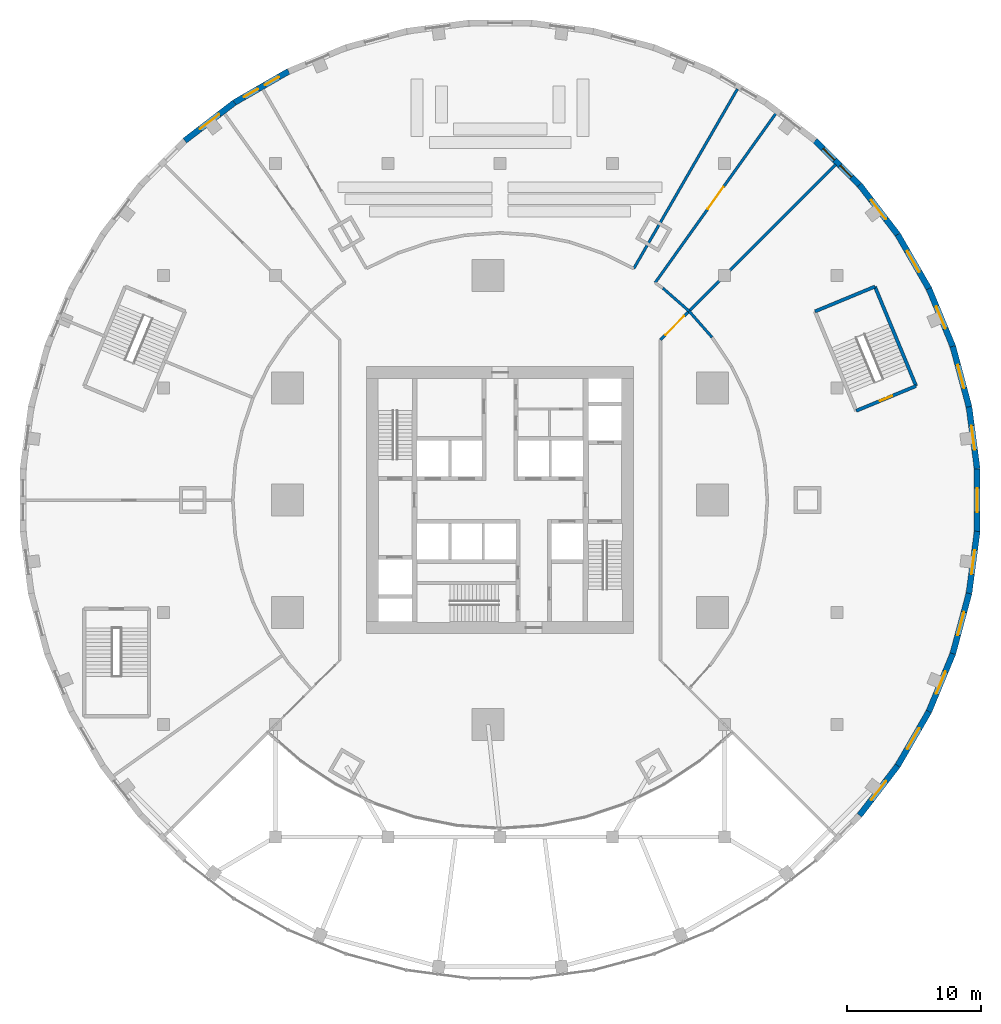
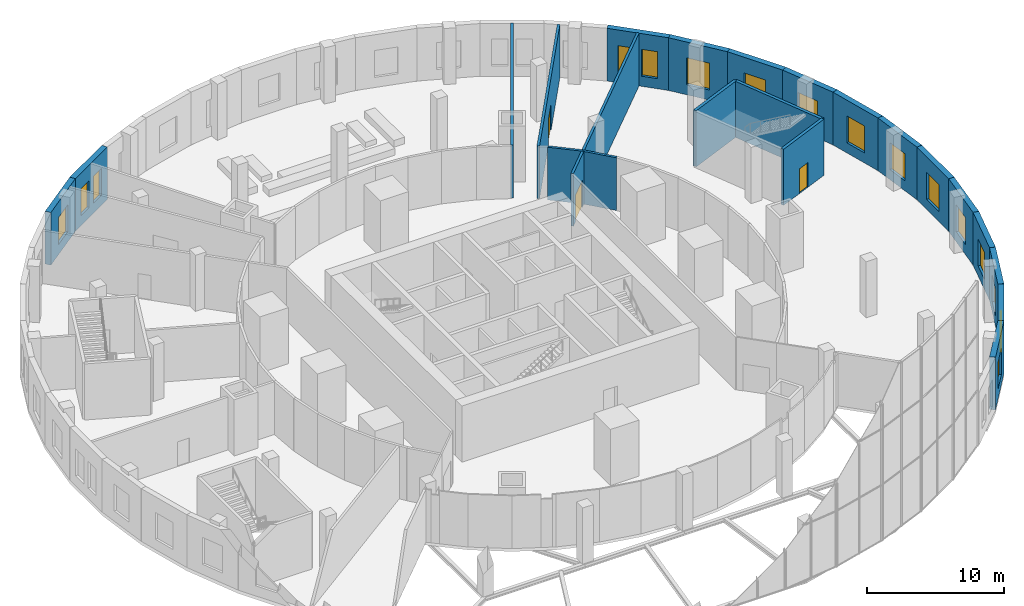
# One storey, part 11 of 17: 23 walls, 16 windows, 3 doors, 19 openings.
"""IFC4 building model written with IfcOpenShell, lengths in metres."""

from ifc_helpers import new_model, si_unit, direction, frame, frame_2d, origin, place, context, subcontext, project, spatial, rectangle, extrude, material, layer, layer_set, type_object, element, fill, save


model = new_model("IFC4")

# Units and contexts
model_context = context("Model", 3, precision=1e-05, world=origin(), true_north=direction((0.0, 1.0)))
body_context = subcontext(model_context, "Body", "Model", "MODEL_VIEW")
ifc_project = project(units=[si_unit("LENGTHUNIT", "METRE"), si_unit("AREAUNIT", "SQUARE_METRE"), si_unit("VOLUMEUNIT", "CUBIC_METRE"), si_unit("PLANEANGLEUNIT", "RADIAN"), si_unit("MASSUNIT", "GRAM", prefix="KILO")], contexts=[model_context])

# Site, building, storey
site_placement = place(None, origin())
site = spatial("IfcSite", under=ifc_project, at=site_placement, CompositionType="ELEMENT")
building_placement = place(site_placement, origin())
building = spatial("IfcBuilding", under=site, at=building_placement, Name="Golbaran Civic Tower", CompositionType="ELEMENT")
storey_placement = place(building_placement, frame((0.0, 0.0, 6.0)))
storey = spatial("IfcBuildingStorey", under=building, at=storey_placement, Name="L01", CompositionType="ELEMENT", Elevation=6.0)

# Wall
ifc_material_1 = material(Name="Concrete block, plastered", Category="concrete")
ifc_layer_1 = layer(ifc_material_1, 0.199951171875, Name="Concrete block, plastered")
ifc_layer_set_1 = layer_set([ifc_layer_1], Name="Concrete block, plastered")
wall_type_1 = type_object("IfcWallType", Name="PODIUM PARTITION 200", PredefinedType="PARTITIONING", material=ifc_layer_set_1)
wall_1_placement = place(storey_placement, frame((10.0, 17.320068359375, 0.0), z_axis=(0.0, 0.0, 1.0), x_axis=(0.500022035744, 0.866012681068, 0.0)))
element("IfcWall", 1, at=wall_1_placement, inside=storey, type_object=wall_type_1, Name="Podium partition L01", PredefinedType="PARTITIONING", context=body_context, shape_type="SweptSolid", body=[
    extrude(rectangle(XDim=15.519287109375, YDim=0.199951171875, at=frame_2d((7.759765625, 0.0))), origin(), (0.0, 0.0, 1.0), 4.699951171875),
])

# Wall, opening, door
wall_2_placement = place(storey_placement, frame((11.60009765625, 16.260009765625, 0.0), z_axis=(0.0, 0.0, 1.0), x_axis=(0.580502370217, 0.814258557322, 0.0)))
wall_2 = element("IfcWall", 2, at=wall_2_placement, inside=storey, type_object=wall_type_1, Name="Podium partition L01", PredefinedType="PARTITIONING", context=body_context, shape_type="SweptSolid", body=[
    extrude(rectangle(XDim=15.572265625, YDim=0.199951171875, at=frame_2d((7.7861328125, 0.0))), origin(), (0.0, 0.0, 1.0), 4.699951171875),
])
opening_1_placement = place(wall_2_placement, frame((6.786376953125, 0.0, 0.0)))
opening_1 = element("IfcOpeningElement", 3, at=opening_1_placement, cuts=wall_2, Name="Opening L01.05", PredefinedType="OPENING", context=body_context, shape_type="SweptSolid", body=[
    extrude(rectangle(XDim=2.0, YDim=2.39990234375, at=frame_2d((1.0, 1.199951171875))), frame((0.0, 0.10986328125, 0.0), z_axis=(0.0, -1.0, 0.0), x_axis=(1.0, 0.0, 0.0)), (0.0, 0.0, 1.0), 0.219970703125),
])
ifc_material_2 = material(Name="Timber door set in steel frame", Category="steel")
door_type_1 = type_object("IfcDoorType", Name="PUBLIC DOUBLE DOOR 2000x2400", OperationType="DOUBLE_DOOR_SINGLE_SWING", PredefinedType="DOOR", material=ifc_material_2)
door_1_placement = place(opening_1_placement, origin())
door_1 = element("IfcDoor", 4, at=door_1_placement, inside=storey, type_object=door_type_1, Name="Members' Office door", OperationType="DOUBLE_DOOR_SINGLE_SWING", OverallHeight=2.39990234375, OverallWidth=2.0, PredefinedType="DOOR", context=body_context, shape_type="SweptSolid", body=[
    extrude(rectangle(XDim=2.0, YDim=2.39990234375, at=frame_2d((1.0, 1.199951171875))), frame((0.0, 0.02490234375, 0.0), z_axis=(0.0, -1.0, 0.0), x_axis=(1.0, 0.0, 0.0)), (0.0, 0.0, 1.0), 0.050048828125),
])
fill(opening_1, door_1)

wall_3_placement = place(storey_placement, frame((12.0, 12.0, 0.0), z_axis=(0.0, 0.0, 1.0), x_axis=(0.707106781187, 0.707106781187, 0.0)))
wall_3 = element("IfcWall", 5, at=wall_3_placement, inside=storey, type_object=wall_type_1, Name="Podium partition L01", PredefinedType="PARTITIONING", context=body_context, shape_type="SweptSolid", body=[
    extrude(rectangle(XDim=3.0263671875, YDim=0.199951171875, at=frame_2d((1.51318359375, 0.0))), origin(), (0.0, 0.0, 1.0), 4.699951171875),
])
opening_2_placement = place(wall_3_placement, frame((0.51318359375, 0.0, 0.0)))
opening_2 = element("IfcOpeningElement", 6, at=opening_2_placement, cuts=wall_3, Name="Opening L01.07", PredefinedType="OPENING", context=body_context, shape_type="SweptSolid", body=[
    extrude(rectangle(XDim=2.0, YDim=2.39990234375, at=frame_2d((1.0, 1.199951171875))), frame((0.0, 0.10986328125, 0.0), z_axis=(0.0, -1.0, 0.0), x_axis=(1.0, 0.0, 0.0)), (0.0, 0.0, 1.0), 0.219970703125),
])
door_2_placement = place(opening_2_placement, origin())
door_2 = element("IfcDoor", 7, at=door_2_placement, inside=storey, type_object=door_type_1, Name="Chamber Foyer door", OperationType="DOUBLE_DOOR_SINGLE_SWING", OverallHeight=2.39990234375, OverallWidth=2.0, PredefinedType="DOOR", context=body_context, shape_type="SweptSolid", body=[
    extrude(rectangle(XDim=2.0, YDim=2.39990234375, at=frame_2d((1.0, 1.199951171875))), frame((0.0, 0.02490234375, 0.0), z_axis=(0.0, -1.0, 0.0), x_axis=(1.0, 0.0, 0.0)), (0.0, 0.0, 1.0), 0.050048828125),
])
fill(opening_2, door_2)

# Walls
for number, where, z_axis, x_axis, name in (
    (8, (12.179931640625, 15.860107421875, 0.0), (0.0, 0.0, 1.0), (0.751578326618, -0.659643857667, 0.0), "Podium partition L01"),
    (9, (14.139892578125, 14.139892578125, 0.0), (0.0, 0.0, 1.0), (0.659643857667, -0.751578326618, 0.0), "Podium partition L01"),
):
    element("IfcWall", number, at=place(storey_placement, frame(where, z_axis=z_axis, x_axis=x_axis)), inside=storey, type_object=wall_type_1, Name=name, PredefinedType="PARTITIONING", context=body_context, shape_type="SweptSolid", body=[
        extrude(rectangle(XDim=2.60791015625, YDim=0.199951171875, at=frame_2d((1.303955078125, 0.0))), origin(), (0.0, 0.0, 1.0), 4.699951171875),
    ])
wall_4_placement = place(storey_placement, frame((14.139892578125, 14.139892578125, 0.0), z_axis=(0.0, 0.0, 1.0), x_axis=(0.707106781187, 0.707106781187, 0.0)))
element("IfcWall", 10, at=wall_4_placement, inside=storey, type_object=wall_type_1, Name="Podium partition L01", PredefinedType="PARTITIONING", context=body_context, shape_type="SweptSolid", body=[
    extrude(rectangle(XDim=15.5283203125, YDim=0.199951171875, at=frame_2d((7.76416015625, 0.0))), origin(), (0.0, 0.0, 1.0), 4.699951171875),
])

# Wall, opening, door
ifc_material_3 = material(Name="Concrete C50/60", Category="concrete")
ifc_layer_2 = layer(ifc_material_3, 0.25, Name="Concrete C50/60")
ifc_layer_set_2 = layer_set([ifc_layer_2], Name="Concrete C50/60")
wall_type_2 = type_object("IfcWallType", Name="STAIR ENCLOSURE WALL CONCRETE 250", PredefinedType="SOLIDWALL", material=ifc_layer_set_2)
wall_5_placement = place(storey_placement, frame((31.12744140625, 8.536865234375, 0.0), z_axis=(0.0, 0.0, 1.0), x_axis=(-0.923880627248, -0.382680789426, 0.0)))
wall_5 = element("IfcWall", 11, at=wall_5_placement, inside=storey, type_object=wall_type_2, Name="Stair P1 enclosure A L01", PredefinedType="SOLIDWALL", context=body_context, shape_type="SweptSolid", body=[
    extrude(rectangle(XDim=4.849853515625, YDim=0.25, at=frame_2d((2.4248046875, 0.0))), origin(), (0.0, 0.0, 1.0), 5.0),
])
opening_3_placement = place(wall_5_placement, frame((1.925048828125, 0.0, 0.0)))
opening_3 = element("IfcOpeningElement", 12, at=opening_3_placement, cuts=wall_5, Name="Opening L01.P1", PredefinedType="OPENING", context=body_context, shape_type="SweptSolid", body=[
    extrude(rectangle(XDim=1.0, YDim=2.199951171875, at=frame_2d((0.5, 1.10009765625))), frame((0.0, 0.135009765625, 0.0), z_axis=(0.0, -1.0, 0.0), x_axis=(1.0, 0.0, 0.0)), (0.0, 0.0, 1.0), 0.27001953125),
])
door_type_2 = type_object("IfcDoorType", Name="STAIR DOOR 1000x2200", OperationType="SINGLE_SWING_LEFT", PredefinedType="DOOR", material=ifc_material_2)
door_3_placement = place(opening_3_placement, origin())
door_3 = element("IfcDoor", 13, at=door_3_placement, inside=storey, type_object=door_type_2, Name="Stair P1 door", OperationType="SINGLE_SWING_RIGHT", OverallHeight=2.199951171875, OverallWidth=1.0, PredefinedType="DOOR", context=body_context, shape_type="SweptSolid", body=[
    extrude(rectangle(XDim=1.0, YDim=2.199951171875, at=frame_2d((0.5, 1.10009765625))), frame((0.0, 0.02490234375, 0.0), z_axis=(0.0, -1.0, 0.0), x_axis=(1.0, 0.0, 0.0)), (0.0, 0.0, 1.0), 0.050048828125),
])
fill(opening_3, door_3)

# Walls
wall_6_placement = place(storey_placement, frame((23.566162109375, 14.117919921875, 0.0), z_axis=(0.0, 0.0, 1.0), x_axis=(0.923862828997, 0.382723755727, 0.0)))
element("IfcWall", 14, at=wall_6_placement, inside=storey, type_object=wall_type_2, Name="Stair P1 enclosure C L01", PredefinedType="SOLIDWALL", context=body_context, shape_type="SweptSolid", body=[
    extrude(rectangle(XDim=4.85009765625, YDim=0.25, at=frame_2d((2.425048828125, 0.0))), origin(), (0.0, 0.0, 1.0), 5.0),
])
wall_7_placement = place(storey_placement, frame((28.046875, 15.97412109375, 0.0), z_axis=(0.0, 0.0, 1.0), x_axis=(0.382678572144, -0.923881545666, 0.0)))
element("IfcWall", 15, at=wall_7_placement, inside=storey, type_object=wall_type_2, Name="Stair P1 enclosure D L01", PredefinedType="SOLIDWALL", context=body_context, shape_type="SweptSolid", body=[
    extrude(rectangle(XDim=8.050048828125, YDim=0.25, at=frame_2d((4.02490234375, 0.0))), origin(), (0.0, 0.0, 1.0), 5.0),
])

# Wall, opening, window
ifc_material_4 = material(Name="Terracotta brick", Category="masonry")
ifc_layer_3 = layer(ifc_material_4, 0.449951171875, Name="Terracotta brick")
ifc_layer_set_3 = layer_set([ifc_layer_3], Name="Terracotta brick")
wall_type_3 = type_object("IfcWallType", Name="TERRACOTTA BRICK FACADE WALL 450", PredefinedType="SOLIDWALL", material=ifc_layer_set_3)
wall_8_placement = place(storey_placement, frame((35.698486328125, 2.33984375, 0.0), z_axis=(0.0, 0.0, 1.0), x_axis=(-0.130536838198, 0.991443459746, 0.0)))
wall_8 = element("IfcWall", 16, at=wall_8_placement, inside=storey, type_object=wall_type_3, Name="Podium wall L01 facet 1", PredefinedType="SOLIDWALL", context=body_context, shape_type="SweptSolid", body=[
    extrude(rectangle(XDim=4.679443359375, YDim=0.449951171875, at=frame_2d((2.33984375, 0.0))), origin(), (0.0, 0.0, 1.0), 4.699951171875),
])
opening_4_placement = place(wall_8_placement, frame((1.439697265625, 0.0, 0.89990234375)))
opening_4 = element("IfcOpeningElement", 17, at=opening_4_placement, cuts=wall_8, Name="Opening L01.W01", PredefinedType="OPENING", context=body_context, shape_type="SweptSolid", body=[
    extrude(rectangle(XDim=1.800048828125, YDim=2.39990234375, at=frame_2d((0.89990234375, 1.199951171875))), frame((0.0, 0.23486328125, 0.0), z_axis=(0.0, -1.0, 0.0), x_axis=(1.0, 0.0, 0.0)), (0.0, 0.0, 1.0), 0.469970703125),
])
ifc_material_5 = material(Name="Aluminium frame, clear glass", Category="aluminium")
window_type_1 = type_object("IfcWindowType", Name="PODIUM WINDOW 1800x2400", PartitioningType="SINGLE_PANEL", PredefinedType="WINDOW", material=ifc_material_5)
window_1_placement = place(opening_4_placement, origin())
window_1 = element("IfcWindow", 18, at=window_1_placement, inside=storey, type_object=window_type_1, Name="Podium window L01 facet 1", OverallHeight=2.39990234375, OverallWidth=1.800048828125, PartitioningType="SINGLE_PANEL", PredefinedType="WINDOW", context=body_context, shape_type="SweptSolid", body=[
    extrude(rectangle(XDim=1.800048828125, YDim=2.39990234375, at=frame_2d((0.89990234375, 1.199951171875))), frame((0.0, 0.030029296875, 0.0), z_axis=(0.0, -1.0, 0.0), x_axis=(1.0, 0.0, 0.0)), (0.0, 0.0, 1.0), 0.06005859375),
])
fill(opening_4, window_1)

wall_9_placement = place(storey_placement, frame((35.087646484375, 6.979248046875, 0.0), z_axis=(0.0, 0.0, 1.0), x_axis=(-0.258815185258, 0.965926860523, 0.0)))
wall_9 = element("IfcWall", 19, at=wall_9_placement, inside=storey, type_object=wall_type_3, Name="Podium wall L01 facet 2", PredefinedType="SOLIDWALL", context=body_context, shape_type="SweptSolid", body=[
    extrude(rectangle(XDim=4.6796875, YDim=0.449951171875, at=frame_2d((2.33984375, 0.0))), origin(), (0.0, 0.0, 1.0), 4.699951171875),
])
opening_5_placement = place(wall_9_placement, frame((1.439697265625, 0.0, 0.89990234375)))
opening_5 = element("IfcOpeningElement", 20, at=opening_5_placement, cuts=wall_9, Name="Opening L01.W02", PredefinedType="OPENING", context=body_context, shape_type="SweptSolid", body=[
    extrude(rectangle(XDim=1.800048828125, YDim=2.39990234375, at=frame_2d((0.89990234375, 1.199951171875))), frame((0.0, 0.23486328125, 0.0), z_axis=(0.0, -1.0, 0.0), x_axis=(1.0, 0.0, 0.0)), (0.0, 0.0, 1.0), 0.469970703125),
])
window_2_placement = place(opening_5_placement, origin())
window_2 = element("IfcWindow", 21, at=window_2_placement, inside=storey, type_object=window_type_1, Name="Podium window L01 facet 2", OverallHeight=2.39990234375, OverallWidth=1.800048828125, PartitioningType="SINGLE_PANEL", PredefinedType="WINDOW", context=body_context, shape_type="SweptSolid", body=[
    extrude(rectangle(XDim=1.800048828125, YDim=2.39990234375, at=frame_2d((0.89990234375, 1.199951171875))), frame((0.0, 0.030029296875, 0.0), z_axis=(0.0, -1.0, 0.0), x_axis=(1.0, 0.0, 0.0)), (0.0, 0.0, 1.0), 0.06005859375),
])
fill(opening_5, window_2)

wall_10_placement = place(storey_placement, frame((33.87646484375, 11.49951171875, 0.0), z_axis=(0.0, 0.0, 1.0), x_axis=(-0.382669718086, 0.923885213032, 0.0)))
wall_10 = element("IfcWall", 22, at=wall_10_placement, inside=storey, type_object=wall_type_3, Name="Podium wall L01 facet 3", PredefinedType="SOLIDWALL", context=body_context, shape_type="SweptSolid", body=[
    extrude(rectangle(XDim=4.6796875, YDim=0.449951171875, at=frame_2d((2.33984375, 0.0))), origin(), (0.0, 0.0, 1.0), 4.699951171875),
])
opening_6_placement = place(wall_10_placement, frame((1.439697265625, 0.0, 0.89990234375)))
opening_6 = element("IfcOpeningElement", 23, at=opening_6_placement, cuts=wall_10, Name="Opening L01.W03", PredefinedType="OPENING", context=body_context, shape_type="SweptSolid", body=[
    extrude(rectangle(XDim=1.800048828125, YDim=2.39990234375, at=frame_2d((0.89990234375, 1.199951171875))), frame((0.0, 0.23486328125, 0.0), z_axis=(0.0, -1.0, 0.0), x_axis=(1.0, 0.0, 0.0)), (0.0, 0.0, 1.0), 0.469970703125),
])
window_3_placement = place(opening_6_placement, origin())
window_3 = element("IfcWindow", 24, at=window_3_placement, inside=storey, type_object=window_type_1, Name="Podium window L01 facet 3", OverallHeight=2.39990234375, OverallWidth=1.800048828125, PartitioningType="SINGLE_PANEL", PredefinedType="WINDOW", context=body_context, shape_type="SweptSolid", body=[
    extrude(rectangle(XDim=1.800048828125, YDim=2.39990234375, at=frame_2d((0.89990234375, 1.199951171875))), frame((0.0, 0.030029296875, 0.0), z_axis=(0.0, -1.0, 0.0), x_axis=(1.0, 0.0, 0.0)), (0.0, 0.0, 1.0), 0.06005859375),
])
fill(opening_6, window_3)

wall_11_placement = place(storey_placement, frame((32.085693359375, 15.822998046875, 0.0), z_axis=(0.0, 0.0, 1.0), x_axis=(-0.500022025083, 0.866012687223, 0.0)))
wall_11 = element("IfcWall", 25, at=wall_11_placement, inside=storey, type_object=wall_type_3, Name="Podium wall L01 facet 4", PredefinedType="SOLIDWALL", context=body_context, shape_type="SweptSolid", body=[
    extrude(rectangle(XDim=4.679443359375, YDim=0.449951171875, at=frame_2d((2.33984375, 0.0))), origin(), (0.0, 0.0, 1.0), 4.699951171875),
])
opening_7_placement = place(wall_11_placement, frame((1.439697265625, 0.0, 0.89990234375)))
opening_7 = element("IfcOpeningElement", 26, at=opening_7_placement, cuts=wall_11, Name="Opening L01.W04", PredefinedType="OPENING", context=body_context, shape_type="SweptSolid", body=[
    extrude(rectangle(XDim=1.800048828125, YDim=2.39990234375, at=frame_2d((0.89990234375, 1.199951171875))), frame((0.0, 0.23486328125, 0.0), z_axis=(0.0, -1.0, 0.0), x_axis=(1.0, 0.0, 0.0)), (0.0, 0.0, 1.0), 0.469970703125),
])
window_4_placement = place(opening_7_placement, origin())
window_4 = element("IfcWindow", 27, at=window_4_placement, inside=storey, type_object=window_type_1, Name="Podium window L01 facet 4", OverallHeight=2.39990234375, OverallWidth=1.800048828125, PartitioningType="SINGLE_PANEL", PredefinedType="WINDOW", context=body_context, shape_type="SweptSolid", body=[
    extrude(rectangle(XDim=1.800048828125, YDim=2.39990234375, at=frame_2d((0.89990234375, 1.199951171875))), frame((0.0, 0.030029296875, 0.0), z_axis=(0.0, -1.0, 0.0), x_axis=(1.0, 0.0, 0.0)), (0.0, 0.0, 1.0), 0.06005859375),
])
fill(opening_7, window_4)

wall_12_placement = place(storey_placement, frame((29.745849609375, 19.87548828125, 0.0), z_axis=(0.0, 0.0, 1.0), x_axis=(-0.608769916927, 0.79334682721, 0.0)))
wall_12 = element("IfcWall", 28, at=wall_12_placement, inside=storey, type_object=wall_type_3, Name="Podium wall L01 facet 5", PredefinedType="SOLIDWALL", context=body_context, shape_type="SweptSolid", body=[
    extrude(rectangle(XDim=4.6796875, YDim=0.449951171875, at=frame_2d((2.33984375, 0.0))), origin(), (0.0, 0.0, 1.0), 4.699951171875),
])
opening_8_placement = place(wall_12_placement, frame((1.439697265625, 0.0, 0.89990234375)))
opening_8 = element("IfcOpeningElement", 29, at=opening_8_placement, cuts=wall_12, Name="Opening L01.W05", PredefinedType="OPENING", context=body_context, shape_type="SweptSolid", body=[
    extrude(rectangle(XDim=1.800048828125, YDim=2.39990234375, at=frame_2d((0.89990234375, 1.199951171875))), frame((0.0, 0.23486328125, 0.0), z_axis=(0.0, -1.0, 0.0), x_axis=(1.0, 0.0, 0.0)), (0.0, 0.0, 1.0), 0.469970703125),
])
window_5_placement = place(opening_8_placement, origin())
window_5 = element("IfcWindow", 30, at=window_5_placement, inside=storey, type_object=window_type_1, Name="Podium window L01 facet 5", OverallHeight=2.39990234375, OverallWidth=1.800048828125, PartitioningType="SINGLE_PANEL", PredefinedType="WINDOW", context=body_context, shape_type="SweptSolid", body=[
    extrude(rectangle(XDim=1.800048828125, YDim=2.39990234375, at=frame_2d((0.89990234375, 1.199951171875))), frame((0.0, 0.030029296875, 0.0), z_axis=(0.0, -1.0, 0.0), x_axis=(1.0, 0.0, 0.0)), (0.0, 0.0, 1.0), 0.06005859375),
])
fill(opening_8, window_5)

# Wall, openings, windows
wall_13_placement = place(storey_placement, frame((26.89697265625, 23.588134765625, 0.0), z_axis=(0.0, 0.0, 1.0), x_axis=(-0.707106781187, 0.707106781187, 0.0)))
wall_13 = element("IfcWall", 31, at=wall_13_placement, inside=storey, type_object=wall_type_3, Name="Podium wall L01 facet 6", PredefinedType="SOLIDWALL", context=body_context, shape_type="SweptSolid", body=[
    extrude(rectangle(XDim=4.679443359375, YDim=0.449951171875, at=frame_2d((2.33984375, 0.0))), origin(), (0.0, 0.0, 1.0), 4.699951171875),
])
opening_9_placement = place(wall_13_placement, frame((0.840087890625, 0.0, 0.89990234375)))
opening_9 = element("IfcOpeningElement", 32, at=opening_9_placement, cuts=wall_13, Name="Opening L01.W06", PredefinedType="OPENING", context=body_context, shape_type="SweptSolid", body=[
    extrude(rectangle(XDim=1.199951171875, YDim=2.39990234375, at=frame_2d((0.60009765625, 1.199951171875))), frame((0.0, 0.23486328125, 0.0), z_axis=(0.0, -1.0, 0.0), x_axis=(1.0, 0.0, 0.0)), (0.0, 0.0, 1.0), 0.469970703125),
])
opening_10_placement = place(wall_13_placement, frame((2.639892578125, 0.0, 0.89990234375)))
opening_10 = element("IfcOpeningElement", 33, at=opening_10_placement, cuts=wall_13, Name="Opening L01.W07", PredefinedType="OPENING", context=body_context, shape_type="SweptSolid", body=[
    extrude(rectangle(XDim=1.199951171875, YDim=2.39990234375, at=frame_2d((0.60009765625, 1.199951171875))), frame((0.0, 0.23486328125, 0.0), z_axis=(0.0, -1.0, 0.0), x_axis=(1.0, 0.0, 0.0)), (0.0, 0.0, 1.0), 0.469970703125),
])
window_type_2 = type_object("IfcWindowType", Name="PODIUM PAIRED WINDOW 1200x2400", PartitioningType="SINGLE_PANEL", PredefinedType="WINDOW", material=ifc_material_5)
window_6_placement = place(opening_9_placement, origin())
window_6 = element("IfcWindow", 34, at=window_6_placement, inside=storey, type_object=window_type_2, Name="Podium window L01 facet 6a", OverallHeight=2.39990234375, OverallWidth=1.199951171875, PartitioningType="SINGLE_PANEL", PredefinedType="WINDOW", context=body_context, shape_type="SweptSolid", body=[
    extrude(rectangle(XDim=1.199951171875, YDim=2.39990234375, at=frame_2d((0.60009765625, 1.199951171875))), frame((0.0, 0.030029296875, 0.0), z_axis=(0.0, -1.0, 0.0), x_axis=(1.0, 0.0, 0.0)), (0.0, 0.0, 1.0), 0.06005859375),
])
fill(opening_9, window_6)
window_7_placement = place(opening_10_placement, origin())
window_7 = element("IfcWindow", 35, at=window_7_placement, inside=storey, type_object=window_type_2, Name="Podium window L01 facet 6b", OverallHeight=2.39990234375, OverallWidth=1.199951171875, PartitioningType="SINGLE_PANEL", PredefinedType="WINDOW", context=body_context, shape_type="SweptSolid", body=[
    extrude(rectangle(XDim=1.199951171875, YDim=2.39990234375, at=frame_2d((0.60009765625, 1.199951171875))), frame((0.0, 0.030029296875, 0.0), z_axis=(0.0, -1.0, 0.0), x_axis=(1.0, 0.0, 0.0)), (0.0, 0.0, 1.0), 0.06005859375),
])
fill(opening_10, window_7)

wall_14_placement = place(storey_placement, frame((-15.822998046875, 32.085693359375, 0.0), z_axis=(0.0, 0.0, 1.0), x_axis=(-0.866012687223, -0.500022025083, 0.0)))
wall_14 = element("IfcWall", 36, at=wall_14_placement, inside=storey, type_object=wall_type_3, Name="Podium wall L01 facet 16", PredefinedType="SOLIDWALL", context=body_context, shape_type="SweptSolid", body=[
    extrude(rectangle(XDim=4.679443359375, YDim=0.449951171875, at=frame_2d((2.33984375, 0.0))), origin(), (0.0, 0.0, 1.0), 4.699951171875),
])
opening_11_placement = place(wall_14_placement, frame((0.840087890625, 0.0, 0.89990234375)))
opening_11 = element("IfcOpeningElement", 37, at=opening_11_placement, cuts=wall_14, Name="Opening L01.W18", PredefinedType="OPENING", context=body_context, shape_type="SweptSolid", body=[
    extrude(rectangle(XDim=1.199951171875, YDim=2.39990234375, at=frame_2d((0.60009765625, 1.199951171875))), frame((0.0, 0.23486328125, 0.0), z_axis=(0.0, -1.0, 0.0), x_axis=(1.0, 0.0, 0.0)), (0.0, 0.0, 1.0), 0.469970703125),
])
opening_12_placement = place(wall_14_placement, frame((2.639892578125, 0.0, 0.89990234375)))
opening_12 = element("IfcOpeningElement", 38, at=opening_12_placement, cuts=wall_14, Name="Opening L01.W19", PredefinedType="OPENING", context=body_context, shape_type="SweptSolid", body=[
    extrude(rectangle(XDim=1.199951171875, YDim=2.39990234375, at=frame_2d((0.60009765625, 1.199951171875))), frame((0.0, 0.23486328125, 0.0), z_axis=(0.0, -1.0, 0.0), x_axis=(1.0, 0.0, 0.0)), (0.0, 0.0, 1.0), 0.469970703125),
])
window_8_placement = place(opening_11_placement, origin())
window_8 = element("IfcWindow", 39, at=window_8_placement, inside=storey, type_object=window_type_2, Name="Podium window L01 facet 16a", OverallHeight=2.39990234375, OverallWidth=1.199951171875, PartitioningType="SINGLE_PANEL", PredefinedType="WINDOW", context=body_context, shape_type="SweptSolid", body=[
    extrude(rectangle(XDim=1.199951171875, YDim=2.39990234375, at=frame_2d((0.60009765625, 1.199951171875))), frame((0.0, 0.030029296875, 0.0), z_axis=(0.0, -1.0, 0.0), x_axis=(1.0, 0.0, 0.0)), (0.0, 0.0, 1.0), 0.06005859375),
])
fill(opening_11, window_8)
window_9_placement = place(opening_12_placement, origin())
window_9 = element("IfcWindow", 40, at=window_9_placement, inside=storey, type_object=window_type_2, Name="Podium window L01 facet 16b", OverallHeight=2.39990234375, OverallWidth=1.199951171875, PartitioningType="SINGLE_PANEL", PredefinedType="WINDOW", context=body_context, shape_type="SweptSolid", body=[
    extrude(rectangle(XDim=1.199951171875, YDim=2.39990234375, at=frame_2d((0.60009765625, 1.199951171875))), frame((0.0, 0.030029296875, 0.0), z_axis=(0.0, -1.0, 0.0), x_axis=(1.0, 0.0, 0.0)), (0.0, 0.0, 1.0), 0.06005859375),
])
fill(opening_12, window_9)

# Wall, opening, window
wall_15_placement = place(storey_placement, frame((-19.87548828125, 29.745849609375, 0.0), z_axis=(0.0, 0.0, 1.0), x_axis=(-0.79334682721, -0.608769916927, 0.0)))
wall_15 = element("IfcWall", 41, at=wall_15_placement, inside=storey, type_object=wall_type_3, Name="Podium wall L01 facet 17", PredefinedType="SOLIDWALL", context=body_context, shape_type="SweptSolid", body=[
    extrude(rectangle(XDim=4.6796875, YDim=0.449951171875, at=frame_2d((2.33984375, 0.0))), origin(), (0.0, 0.0, 1.0), 4.699951171875),
])
opening_13_placement = place(wall_15_placement, frame((1.439697265625, 0.0, 0.89990234375)))
opening_13 = element("IfcOpeningElement", 42, at=opening_13_placement, cuts=wall_15, Name="Opening L01.W20", PredefinedType="OPENING", context=body_context, shape_type="SweptSolid", body=[
    extrude(rectangle(XDim=1.800048828125, YDim=2.39990234375, at=frame_2d((0.89990234375, 1.199951171875))), frame((0.0, 0.23486328125, 0.0), z_axis=(0.0, -1.0, 0.0), x_axis=(1.0, 0.0, 0.0)), (0.0, 0.0, 1.0), 0.469970703125),
])
window_10_placement = place(opening_13_placement, origin())
window_10 = element("IfcWindow", 43, at=window_10_placement, inside=storey, type_object=window_type_1, Name="Podium window L01 facet 17", OverallHeight=2.39990234375, OverallWidth=1.800048828125, PartitioningType="SINGLE_PANEL", PredefinedType="WINDOW", context=body_context, shape_type="SweptSolid", body=[
    extrude(rectangle(XDim=1.800048828125, YDim=2.39990234375, at=frame_2d((0.89990234375, 1.199951171875))), frame((0.0, 0.030029296875, 0.0), z_axis=(0.0, -1.0, 0.0), x_axis=(1.0, 0.0, 0.0)), (0.0, 0.0, 1.0), 0.06005859375),
])
fill(opening_13, window_10)

wall_16_placement = place(storey_placement, frame((26.89697265625, -23.588134765625, 0.0), z_axis=(0.0, 0.0, 1.0), x_axis=(0.608769916927, 0.79334682721, 0.0)))
wall_16 = element("IfcWall", 44, at=wall_16_placement, inside=storey, type_object=wall_type_3, Name="Podium wall L01 facet 43", PredefinedType="SOLIDWALL", context=body_context, shape_type="SweptSolid", body=[
    extrude(rectangle(XDim=4.6796875, YDim=0.449951171875, at=frame_2d((2.33984375, 0.0))), origin(), (0.0, 0.0, 1.0), 4.699951171875),
])
opening_14_placement = place(wall_16_placement, frame((1.439697265625, 0.0, 0.89990234375)))
opening_14 = element("IfcOpeningElement", 45, at=opening_14_placement, cuts=wall_16, Name="Opening L01.W40", PredefinedType="OPENING", context=body_context, shape_type="SweptSolid", body=[
    extrude(rectangle(XDim=1.800048828125, YDim=2.39990234375, at=frame_2d((0.89990234375, 1.199951171875))), frame((0.0, 0.23486328125, 0.0), z_axis=(0.0, -1.0, 0.0), x_axis=(1.0, 0.0, 0.0)), (0.0, 0.0, 1.0), 0.469970703125),
])
window_11_placement = place(opening_14_placement, origin())
window_11 = element("IfcWindow", 46, at=window_11_placement, inside=storey, type_object=window_type_1, Name="Podium window L01 facet 43", OverallHeight=2.39990234375, OverallWidth=1.800048828125, PartitioningType="SINGLE_PANEL", PredefinedType="WINDOW", context=body_context, shape_type="SweptSolid", body=[
    extrude(rectangle(XDim=1.800048828125, YDim=2.39990234375, at=frame_2d((0.89990234375, 1.199951171875))), frame((0.0, 0.030029296875, 0.0), z_axis=(0.0, -1.0, 0.0), x_axis=(1.0, 0.0, 0.0)), (0.0, 0.0, 1.0), 0.06005859375),
])
fill(opening_14, window_11)

wall_17_placement = place(storey_placement, frame((29.745849609375, -19.87548828125, 0.0), z_axis=(0.0, 0.0, 1.0), x_axis=(0.500022025083, 0.866012687223, 0.0)))
wall_17 = element("IfcWall", 47, at=wall_17_placement, inside=storey, type_object=wall_type_3, Name="Podium wall L01 facet 44", PredefinedType="SOLIDWALL", context=body_context, shape_type="SweptSolid", body=[
    extrude(rectangle(XDim=4.679443359375, YDim=0.449951171875, at=frame_2d((2.33984375, 0.0))), origin(), (0.0, 0.0, 1.0), 4.699951171875),
])
opening_15_placement = place(wall_17_placement, frame((1.439697265625, 0.0, 0.89990234375)))
opening_15 = element("IfcOpeningElement", 48, at=opening_15_placement, cuts=wall_17, Name="Opening L01.W41", PredefinedType="OPENING", context=body_context, shape_type="SweptSolid", body=[
    extrude(rectangle(XDim=1.800048828125, YDim=2.39990234375, at=frame_2d((0.89990234375, 1.199951171875))), frame((0.0, 0.23486328125, 0.0), z_axis=(0.0, -1.0, 0.0), x_axis=(1.0, 0.0, 0.0)), (0.0, 0.0, 1.0), 0.469970703125),
])
window_12_placement = place(opening_15_placement, origin())
window_12 = element("IfcWindow", 49, at=window_12_placement, inside=storey, type_object=window_type_1, Name="Podium window L01 facet 44", OverallHeight=2.39990234375, OverallWidth=1.800048828125, PartitioningType="SINGLE_PANEL", PredefinedType="WINDOW", context=body_context, shape_type="SweptSolid", body=[
    extrude(rectangle(XDim=1.800048828125, YDim=2.39990234375, at=frame_2d((0.89990234375, 1.199951171875))), frame((0.0, 0.030029296875, 0.0), z_axis=(0.0, -1.0, 0.0), x_axis=(1.0, 0.0, 0.0)), (0.0, 0.0, 1.0), 0.06005859375),
])
fill(opening_15, window_12)

wall_18_placement = place(storey_placement, frame((32.085693359375, -15.822998046875, 0.0), z_axis=(0.0, 0.0, 1.0), x_axis=(0.382669718086, 0.923885213032, 0.0)))
wall_18 = element("IfcWall", 50, at=wall_18_placement, inside=storey, type_object=wall_type_3, Name="Podium wall L01 facet 45", PredefinedType="SOLIDWALL", context=body_context, shape_type="SweptSolid", body=[
    extrude(rectangle(XDim=4.6796875, YDim=0.449951171875, at=frame_2d((2.33984375, 0.0))), origin(), (0.0, 0.0, 1.0), 4.699951171875),
])
opening_16_placement = place(wall_18_placement, frame((1.439697265625, 0.0, 0.89990234375)))
opening_16 = element("IfcOpeningElement", 51, at=opening_16_placement, cuts=wall_18, Name="Opening L01.W42", PredefinedType="OPENING", context=body_context, shape_type="SweptSolid", body=[
    extrude(rectangle(XDim=1.800048828125, YDim=2.39990234375, at=frame_2d((0.89990234375, 1.199951171875))), frame((0.0, 0.23486328125, 0.0), z_axis=(0.0, -1.0, 0.0), x_axis=(1.0, 0.0, 0.0)), (0.0, 0.0, 1.0), 0.469970703125),
])
window_13_placement = place(opening_16_placement, origin())
window_13 = element("IfcWindow", 52, at=window_13_placement, inside=storey, type_object=window_type_1, Name="Podium window L01 facet 45", OverallHeight=2.39990234375, OverallWidth=1.800048828125, PartitioningType="SINGLE_PANEL", PredefinedType="WINDOW", context=body_context, shape_type="SweptSolid", body=[
    extrude(rectangle(XDim=1.800048828125, YDim=2.39990234375, at=frame_2d((0.89990234375, 1.199951171875))), frame((0.0, 0.030029296875, 0.0), z_axis=(0.0, -1.0, 0.0), x_axis=(1.0, 0.0, 0.0)), (0.0, 0.0, 1.0), 0.06005859375),
])
fill(opening_16, window_13)

wall_19_placement = place(storey_placement, frame((33.87646484375, -11.49951171875, 0.0), z_axis=(0.0, 0.0, 1.0), x_axis=(0.258815185258, 0.965926860523, 0.0)))
wall_19 = element("IfcWall", 53, at=wall_19_placement, inside=storey, type_object=wall_type_3, Name="Podium wall L01 facet 46", PredefinedType="SOLIDWALL", context=body_context, shape_type="SweptSolid", body=[
    extrude(rectangle(XDim=4.6796875, YDim=0.449951171875, at=frame_2d((2.33984375, 0.0))), origin(), (0.0, 0.0, 1.0), 4.699951171875),
])
opening_17_placement = place(wall_19_placement, frame((1.439697265625, 0.0, 0.89990234375)))
opening_17 = element("IfcOpeningElement", 54, at=opening_17_placement, cuts=wall_19, Name="Opening L01.W43", PredefinedType="OPENING", context=body_context, shape_type="SweptSolid", body=[
    extrude(rectangle(XDim=1.800048828125, YDim=2.39990234375, at=frame_2d((0.89990234375, 1.199951171875))), frame((0.0, 0.23486328125, 0.0), z_axis=(0.0, -1.0, 0.0), x_axis=(1.0, 0.0, 0.0)), (0.0, 0.0, 1.0), 0.469970703125),
])
window_14_placement = place(opening_17_placement, origin())
window_14 = element("IfcWindow", 55, at=window_14_placement, inside=storey, type_object=window_type_1, Name="Podium window L01 facet 46", OverallHeight=2.39990234375, OverallWidth=1.800048828125, PartitioningType="SINGLE_PANEL", PredefinedType="WINDOW", context=body_context, shape_type="SweptSolid", body=[
    extrude(rectangle(XDim=1.800048828125, YDim=2.39990234375, at=frame_2d((0.89990234375, 1.199951171875))), frame((0.0, 0.030029296875, 0.0), z_axis=(0.0, -1.0, 0.0), x_axis=(1.0, 0.0, 0.0)), (0.0, 0.0, 1.0), 0.06005859375),
])
fill(opening_17, window_14)

wall_20_placement = place(storey_placement, frame((35.087646484375, -6.979248046875, 0.0), z_axis=(0.0, 0.0, 1.0), x_axis=(0.130536838198, 0.991443459746, 0.0)))
wall_20 = element("IfcWall", 56, at=wall_20_placement, inside=storey, type_object=wall_type_3, Name="Podium wall L01 facet 47", PredefinedType="SOLIDWALL", context=body_context, shape_type="SweptSolid", body=[
    extrude(rectangle(XDim=4.679443359375, YDim=0.449951171875, at=frame_2d((2.33984375, 0.0))), origin(), (0.0, 0.0, 1.0), 4.699951171875),
])
opening_18_placement = place(wall_20_placement, frame((1.439697265625, 0.0, 0.89990234375)))
opening_18 = element("IfcOpeningElement", 57, at=opening_18_placement, cuts=wall_20, Name="Opening L01.W44", PredefinedType="OPENING", context=body_context, shape_type="SweptSolid", body=[
    extrude(rectangle(XDim=1.800048828125, YDim=2.39990234375, at=frame_2d((0.89990234375, 1.199951171875))), frame((0.0, 0.23486328125, 0.0), z_axis=(0.0, -1.0, 0.0), x_axis=(1.0, 0.0, 0.0)), (0.0, 0.0, 1.0), 0.469970703125),
])
window_15_placement = place(opening_18_placement, origin())
window_15 = element("IfcWindow", 58, at=window_15_placement, inside=storey, type_object=window_type_1, Name="Podium window L01 facet 47", OverallHeight=2.39990234375, OverallWidth=1.800048828125, PartitioningType="SINGLE_PANEL", PredefinedType="WINDOW", context=body_context, shape_type="SweptSolid", body=[
    extrude(rectangle(XDim=1.800048828125, YDim=2.39990234375, at=frame_2d((0.89990234375, 1.199951171875))), frame((0.0, 0.030029296875, 0.0), z_axis=(0.0, -1.0, 0.0), x_axis=(1.0, 0.0, 0.0)), (0.0, 0.0, 1.0), 0.06005859375),
])
fill(opening_18, window_15)

wall_21_placement = place(storey_placement, frame((35.698486328125, -2.33984375, 0.0), z_axis=(0.0, 0.0, 1.0), x_axis=(0.0, 1.0, 0.0)))
wall_21 = element("IfcWall", 59, at=wall_21_placement, inside=storey, type_object=wall_type_3, Name="Podium wall L01 facet 48", PredefinedType="SOLIDWALL", context=body_context, shape_type="SweptSolid", body=[
    extrude(rectangle(XDim=4.6796875, YDim=0.449951171875, at=frame_2d((2.33984375, 0.0))), origin(), (0.0, 0.0, 1.0), 4.699951171875),
])
opening_19_placement = place(wall_21_placement, frame((1.439697265625, 0.0, 0.89990234375)))
opening_19 = element("IfcOpeningElement", 60, at=opening_19_placement, cuts=wall_21, Name="Opening L01.W45", PredefinedType="OPENING", context=body_context, shape_type="SweptSolid", body=[
    extrude(rectangle(XDim=1.800048828125, YDim=2.39990234375, at=frame_2d((0.89990234375, 1.199951171875))), frame((0.0, 0.23486328125, 0.0), z_axis=(0.0, -1.0, 0.0), x_axis=(1.0, 0.0, 0.0)), (0.0, 0.0, 1.0), 0.469970703125),
])
window_16_placement = place(opening_19_placement, origin())
window_16 = element("IfcWindow", 61, at=window_16_placement, inside=storey, type_object=window_type_1, Name="Podium window L01 facet 48", OverallHeight=2.39990234375, OverallWidth=1.800048828125, PartitioningType="SINGLE_PANEL", PredefinedType="WINDOW", context=body_context, shape_type="SweptSolid", body=[
    extrude(rectangle(XDim=1.800048828125, YDim=2.39990234375, at=frame_2d((0.89990234375, 1.199951171875))), frame((0.0, 0.030029296875, 0.0), z_axis=(0.0, -1.0, 0.0), x_axis=(1.0, 0.0, 0.0)), (0.0, 0.0, 1.0), 0.06005859375),
])
fill(opening_19, window_16)

save(model, "model.ifc")
